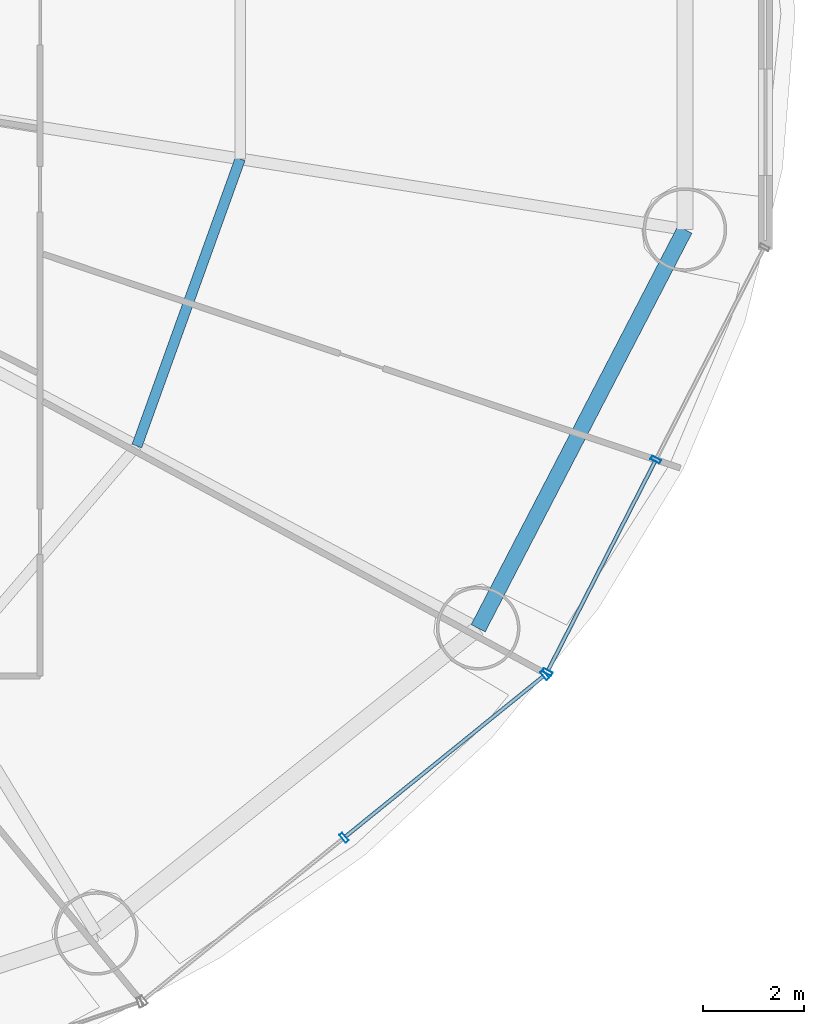
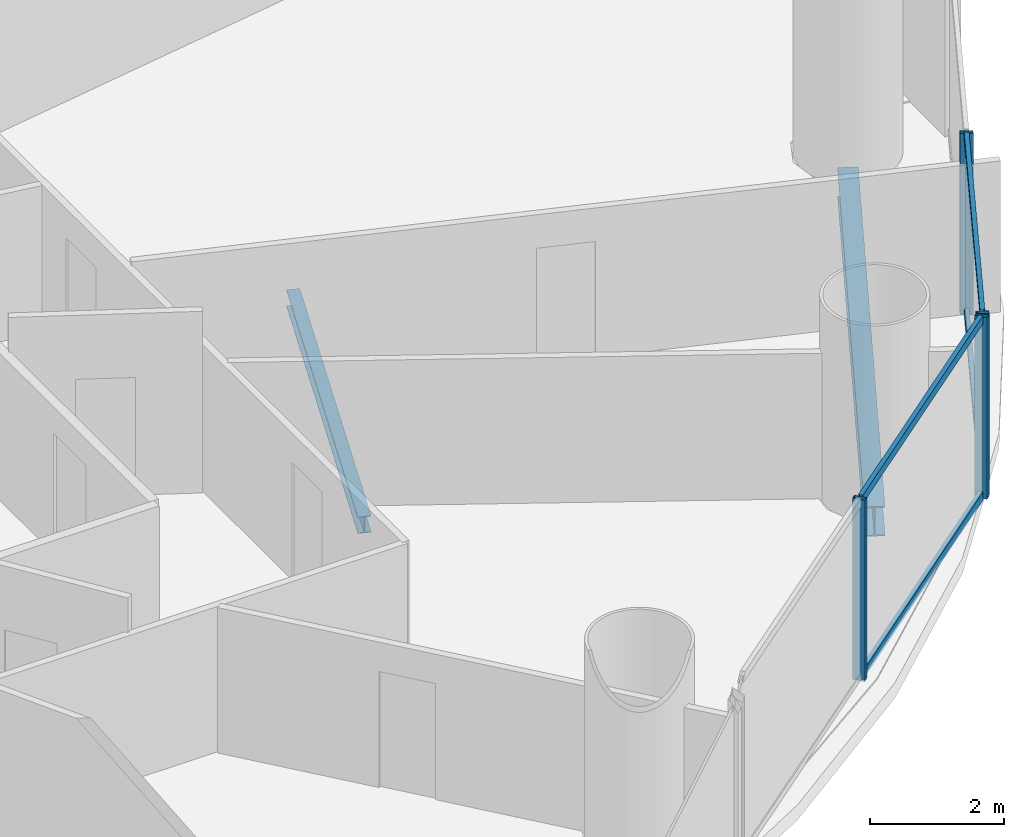
# One storey, part 10 of 28: 8 members, 2 beams, 2 elements without a shape of their own.
"""IFC4 building model written with IfcOpenShell, lengths in metres."""

from ifc_helpers import new_model, si_unit, direction, frame, origin, origin_2d, place, context, subcontext, project, spatial, hollow_rectangle, i_section, extrude, source, transform, mapped, material, material_profile, profile_set, type_object, element, aggregate, save


model = new_model("IFC4")

# Units and contexts
model_context = context("Model", 3, precision=1e-05, world=origin(), true_north=direction((-0.2419218956, 0.970295726276)))
body_context = subcontext(model_context, "Body", "Model", "MODEL_VIEW")
ifc_project = project(units=[si_unit("LENGTHUNIT", "METRE"), si_unit("AREAUNIT", "SQUARE_METRE"), si_unit("VOLUMEUNIT", "CUBIC_METRE"), si_unit("PLANEANGLEUNIT", "RADIAN"), si_unit("MASSUNIT", "GRAM", prefix="KILO")], contexts=[model_context])

# Site, building, storey
site_placement = place(None, origin())
site = spatial("IfcSite", under=ifc_project, at=site_placement, CompositionType="ELEMENT")
building_placement = place(site_placement, origin())
building = spatial("IfcBuilding", under=site, at=building_placement, Name="Cobrevalo Terracotta Tower", CompositionType="ELEMENT")
storey_placement = place(building_placement, frame((0.0, 0.0, 42.0)))
storey = spatial("IfcBuildingStorey", under=building, at=storey_placement, Name="L10", CompositionType="ELEMENT", Elevation=42.0)

# Beams
ifc_material_1 = material(Name="Steel S355", Category="steel")
ifc_material_profile_1 = material_profile(ifc_material_1, i_section(OverallWidth=0.2041015625, OverallDepth=0.305908203125, WebThickness=0.008544921875, FlangeThickness=0.0146484375, at=origin_2d()), Name="W 310x67")
ifc_profile_set_1 = profile_set([ifc_material_profile_1], Name="Steel S355")
beam_type_1 = type_object("IfcBeamType", Name="Structural Joist W 310x67 (Steel S355)", PredefinedType="JOIST", material=ifc_profile_set_1)
beam_1_placement = place(storey_placement, frame((53.997802734375, 18.26025390625, -0.43310546875), z_axis=(0.338672151116, 0.940904444701, 0.0), x_axis=(-0.940904444701, 0.338672151116, 0.0)))
element("IfcBeam", 1, at=beam_1_placement, inside=storey, type_object=beam_type_1, Name="L10 circumferential secondary floor joist 15", PredefinedType="JOIST", context=body_context, shape_type="SweptSolid", body=[
    extrude(i_section(OverallWidth=0.2041015625, OverallDepth=0.305908203125, WebThickness=0.008544921875, FlangeThickness=0.0146484375, at=origin_2d()), origin(), (0.0, 0.0, 1.0), 6.029296875),
])
ifc_material_profile_2 = material_profile(ifc_material_1, i_section(OverallWidth=0.31201171875, OverallDepth=0.54296875, WebThickness=0.0126953125, FlangeThickness=0.020263671875, at=origin_2d()), Name="W 530x150")
ifc_profile_set_2 = profile_set([ifc_material_profile_2], Name="Steel S355")
beam_type_2 = type_object("IfcBeamType", Name="Structural Spandrel W 530x150 (Steel S355)", PredefinedType="SPANDREL", material=ifc_profile_set_2)
beam_2_placement = place(storey_placement, frame((60.74072265625, 14.660888671875, -0.551513671875), z_axis=(0.460285838799, 0.88777077368, 0.0), x_axis=(-0.88777077368, 0.460285838799, 0.0)))
element("IfcBeam", 2, at=beam_2_placement, inside=storey, type_object=beam_type_2, Name="L10 perimeter ring spandrel 15", PredefinedType="SPANDREL", context=body_context, shape_type="SweptSolid", body=[
    extrude(i_section(OverallWidth=0.31201171875, OverallDepth=0.54296875, WebThickness=0.0126953125, FlangeThickness=0.020263671875, at=origin_2d()), origin(), (0.0, 0.0, 1.0), 8.8720703125),
])

# Curtain wall, members
ifc_material_2 = material(Name="Anodized aluminium", Category="aluminium")
curtain_wall_type = type_object("IfcCurtainWallType", Name="Lower-tower unitised acoustic low-E curtain wall CW-U1", PredefinedType="NOTDEFINED", material=ifc_material_2)
curtain_wall_1_placement = place(storey_placement, origin())
curtain_wall_1 = element("IfcCurtainWall", 3, at=curtain_wall_1_placement, inside=storey, type_object=curtain_wall_type, Name="L10 curtain wall CW-L10-S14", PredefinedType="NOTDEFINED")
ifc_material_profile_3 = material_profile(ifc_material_2, hollow_rectangle(XDim=0.074951171875, YDim=0.199951171875, WallThickness=0.0048828125, at=origin_2d()), Name="CWM 75x200")
ifc_profile_set_3 = profile_set([ifc_material_profile_3], Name="Anodized aluminium")
member_type_1 = type_object("IfcMemberType", Name="Lower/mid tower unitised mullion 75x200", PredefinedType="MULLION", material=ifc_profile_set_3)
shared_shape_1 = source(origin(), body_context, "Body", "SweptSolid", [
    extrude(hollow_rectangle(XDim=0.074951171875, YDim=0.199951171875, WallThickness=0.0048828125, at=origin_2d()), origin(), (0.0, 0.0, 1.0), 3.320068359375),
])
member_1_placement = place(storey_placement, frame((58.09130859375, 10.523193359375, 0.0), z_axis=(0.0, 0.0, 1.0), x_axis=(0.777003153187, 0.629496703675, 0.0)))
member_1 = element("IfcMember", 4, at=member_1_placement, type_object=member_type_1, Name="CW-L10-S14 vertical mullion 02", PredefinedType="MULLION", context=body_context, shape_type="MappedRepresentation", body=[
    mapped(shared_shape_1, transform((0.0, 0.0, 0.0), scale=1.0)),
])
member_2_placement = place(storey_placement, frame((62.056640625, 13.735595703125, 0.0), z_axis=(0.0, 0.0, 1.0), x_axis=(0.777003153187, 0.629496703675, 0.0)))
member_2 = element("IfcMember", 5, at=member_2_placement, type_object=member_type_1, Name="CW-L10-S14 vertical mullion 03", PredefinedType="MULLION", context=body_context, shape_type="MappedRepresentation", body=[
    mapped(shared_shape_1, transform((0.0, 0.0, 0.0), scale=1.0)),
])

curtain_wall_2_placement = place(storey_placement, origin())
curtain_wall_2 = element("IfcCurtainWall", 6, at=curtain_wall_2_placement, inside=storey, type_object=curtain_wall_type, Name="L10 curtain wall CW-L10-S15", PredefinedType="NOTDEFINED")
member_3_placement = place(storey_placement, frame((62.10595703125, 13.79638671875, 0.0), z_axis=(0.0, 0.0, 1.0), x_axis=(0.455234136597, 0.890371765543, 0.0)))
member_3 = element("IfcMember", 7, at=member_3_placement, type_object=member_type_1, Name="CW-L10-S15 vertical mullion 01", PredefinedType="MULLION", context=body_context, shape_type="MappedRepresentation", body=[
    mapped(shared_shape_1, transform((0.0, 0.0, 0.0), scale=1.0)),
])
member_4_placement = place(storey_placement, frame((64.25048828125, 17.990966796875, 0.0), z_axis=(0.0, 0.0, 1.0), x_axis=(0.455234136597, 0.890371765543, 0.0)))
member_4 = element("IfcMember", 8, at=member_4_placement, type_object=member_type_1, Name="CW-L10-S15 vertical mullion 02", PredefinedType="MULLION", context=body_context, shape_type="MappedRepresentation", body=[
    mapped(shared_shape_1, transform((0.0, 0.0, 0.0), scale=1.0)),
])

# Member
ifc_material_profile_4 = material_profile(ifc_material_2, hollow_rectangle(XDim=0.074951171875, YDim=0.14990234375, WallThickness=0.00439453125, at=origin_2d()), Name="CWT 75x150")
ifc_profile_set_4 = profile_set([ifc_material_profile_4], Name="Anodized aluminium")
member_type_2 = type_object("IfcMemberType", Name="Tower unitised aluminium transom 75x150", PredefinedType="USERDEFINED", material=ifc_profile_set_4)
shared_shape_2 = source(origin(), body_context, "Body", "SweptSolid", [
    extrude(hollow_rectangle(XDim=0.074951171875, YDim=0.14990234375, WallThickness=0.00439453125, at=origin_2d()), origin(), (0.0, 0.0, 1.0), 5.0234375),
])
member_5_placement = place(storey_placement, frame((58.122314453125, 10.54833984375, 0.050048828125), z_axis=(0.777022991593, 0.629472215857, 0.0), x_axis=(-0.629472215857, 0.777022991593, 0.0)))
member_5 = element("IfcMember", 9, at=member_5_placement, type_object=member_type_2, Name="CW-L10-S14 transom B02-T1", ObjectType="TRANSOM", PredefinedType="USERDEFINED", context=body_context, shape_type="MappedRepresentation", body=[
    mapped(shared_shape_2, transform((0.0, 0.0, 0.0), scale=1.0)),
])

member_6_placement = place(storey_placement, frame((58.122314453125, 10.54833984375, 3.27001953125), z_axis=(0.777022991593, 0.629472215857, 0.0), x_axis=(-0.629472215857, 0.777022991593, 0.0)))
member_6 = element("IfcMember", 10, at=member_6_placement, type_object=member_type_2, Name="CW-L10-S14 transom B02-T2", ObjectType="TRANSOM", PredefinedType="USERDEFINED", context=body_context, shape_type="MappedRepresentation", body=[
    mapped(shared_shape_2, transform((0.0, 0.0, 0.0), scale=1.0)),
])

aggregate(curtain_wall_1, [member_1, member_2, member_5, member_6])

shared_shape_3 = source(origin(), body_context, "Body", "SweptSolid", [
    extrude(hollow_rectangle(XDim=0.074951171875, YDim=0.14990234375, WallThickness=0.00439453125, at=origin_2d()), origin(), (0.0, 0.0, 1.0), 4.631103515625),
])
member_7_placement = place(storey_placement, frame((62.1240234375, 13.83203125, 0.050048828125), z_axis=(0.455271744945, 0.89035253594, 0.0), x_axis=(-0.89035253594, 0.455271744945, 0.0)))
member_7 = element("IfcMember", 11, at=member_7_placement, type_object=member_type_2, Name="CW-L10-S15 transom B01-T1", ObjectType="TRANSOM", PredefinedType="USERDEFINED", context=body_context, shape_type="MappedRepresentation", body=[
    mapped(shared_shape_3, transform((0.0, 0.0, 0.0), scale=1.0)),
])

member_8_placement = place(storey_placement, frame((62.1240234375, 13.83203125, 3.27001953125), z_axis=(0.455271744945, 0.89035253594, 0.0), x_axis=(-0.89035253594, 0.455271744945, 0.0)))
member_8 = element("IfcMember", 12, at=member_8_placement, type_object=member_type_2, Name="CW-L10-S15 transom B01-T2", ObjectType="TRANSOM", PredefinedType="USERDEFINED", context=body_context, shape_type="MappedRepresentation", body=[
    mapped(shared_shape_3, transform((0.0, 0.0, 0.0), scale=1.0)),
])

aggregate(curtain_wall_2, [member_3, member_4, member_7, member_8])

save(model, "model.ifc")
